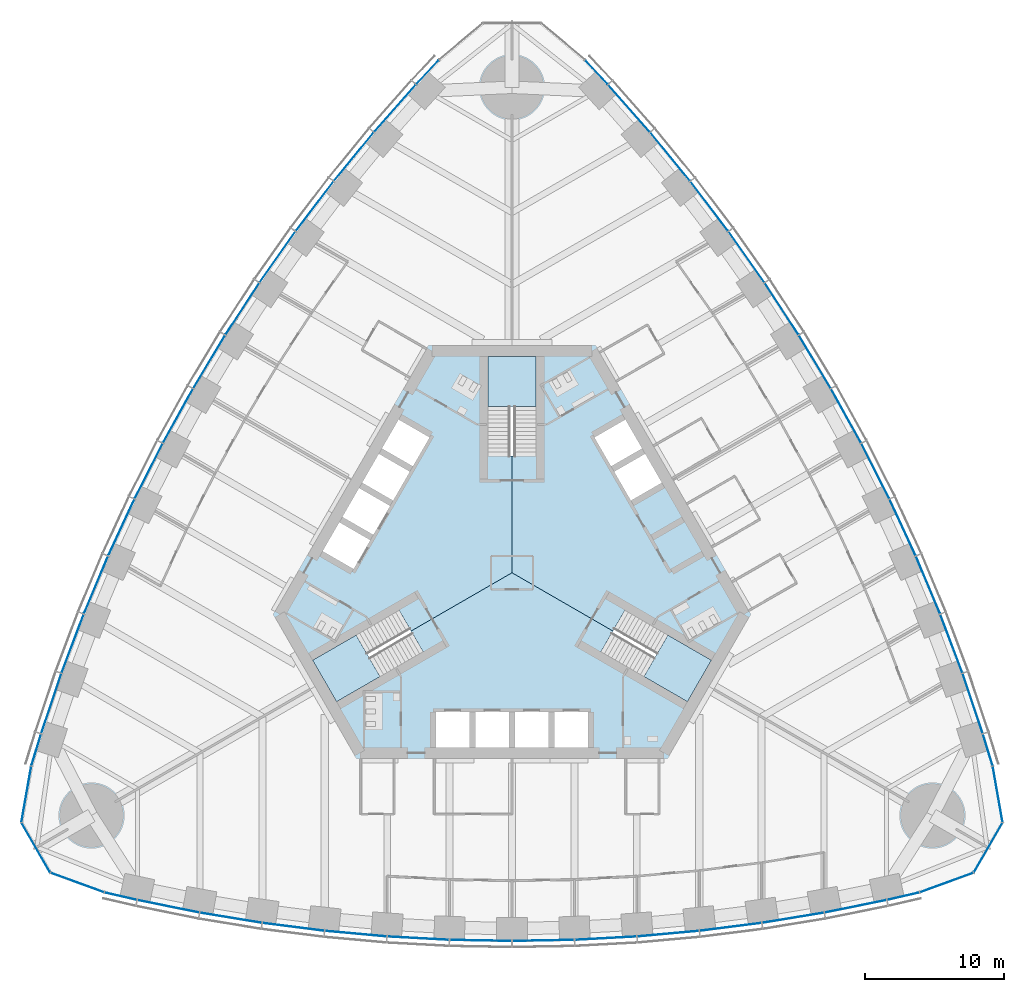
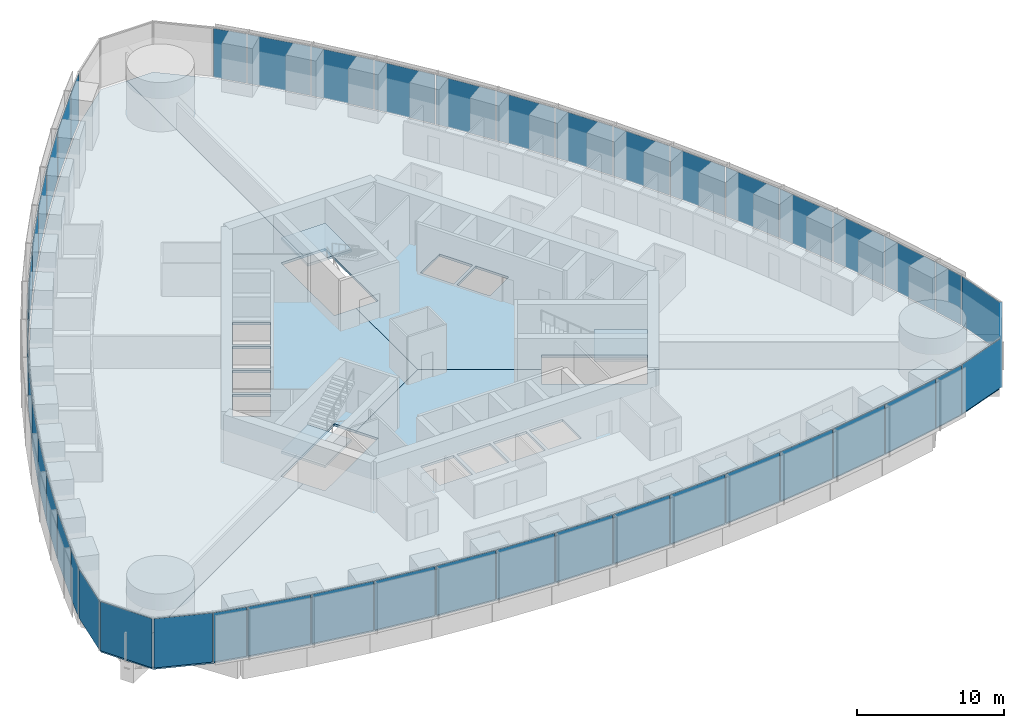
# One storey, part 9 of 19: 48 plates, 6 slabs, 8 elements without a shape of their own.
"""IFC4 building model written with IfcOpenShell, lengths in metres."""

from ifc_helpers import new_model, si_unit, direction, frame, origin, origin_2d, place, context, subcontext, project, spatial, polyline, rectangle, outline, extrude, material, layer, layer_set, type_object, element, aggregate, save


model = new_model("IFC4")

# Units and contexts
model_context = context("Model", 3, precision=1e-05, world=origin(), true_north=direction((0.0, 1.0)))
body_context = subcontext(model_context, "Body", "Model", "MODEL_VIEW")
ifc_project = project(units=[si_unit("LENGTHUNIT", "METRE"), si_unit("AREAUNIT", "SQUARE_METRE"), si_unit("VOLUMEUNIT", "CUBIC_METRE"), si_unit("PLANEANGLEUNIT", "RADIAN"), si_unit("MASSUNIT", "GRAM", prefix="KILO")], contexts=[model_context])

# Site, building, storey
site_placement = place(None, origin())
site = spatial("IfcSite", under=ifc_project, at=site_placement, CompositionType="ELEMENT")
building_placement = place(site_placement, origin())
building = spatial("IfcBuilding", under=site, at=building_placement, Name="Trefoil Bronze Tower", CompositionType="ELEMENT")
storey_placement = place(building_placement, frame((0.0, 0.0, 107.300048828125)))
storey = spatial("IfcBuildingStorey", under=building, at=storey_placement, Name="L24", CompositionType="ELEMENT", Elevation=107.300048828125)

# Curtain wall, plates
ifc_material_1 = material(Name="Tinted solar-control glass", Category="glass")
curtain_wall_type_1 = type_object("IfcCurtainWallType", Name="Bronze office curtain wall", PredefinedType="USERDEFINED", material=ifc_material_1)
curtain_wall_1_placement = place(storey_placement, origin())
curtain_wall_1 = element("IfcCurtainWall", 1, at=curtain_wall_1_placement, inside=storey, type_object=curtain_wall_type_1, Name="CW-A L24 F1", ObjectType="CURTAIN WALL", PredefinedType="USERDEFINED")
ifc_material_2 = material(Name="Tinted solar-control glass", Category="glass")
ifc_layer_1 = layer(ifc_material_2, 0.030029296875)
ifc_layer_set_1 = layer_set([ifc_layer_1], Name="Bronze office curtain wall glass panel")
plate_type_1 = type_object("IfcPlateType", Name="Bronze office curtain wall glass panel", PredefinedType="CURTAIN_PANEL", material=ifc_layer_set_1)
plate_1_placement = place(storey_placement, frame((-28.201416015625, -23.320068359375, 0.0), z_axis=(0.0, 0.0, 1.0), x_axis=(0.97420444715, -0.225667222151, 0.0)))
plate_1 = element("IfcPlate", 2, at=plate_1_placement, type_object=plate_type_1, Name="CW-A L24 F1 panel 1", PredefinedType="CURTAIN_PANEL", context=body_context, shape_type="SweptSolid", body=[
    extrude(rectangle(XDim=2.340087890625, YDim=0.030029296875, at=origin_2d()), origin(), (0.0, 0.0, 1.0), 4.080078125),
])
plate_2_placement = place(storey_placement, frame((-24.769775390625, -24.048828125, 0.0), z_axis=(0.0, 0.0, 1.0), x_axis=(0.980155155547, -0.198231861853, 0.0)))
plate_2 = element("IfcPlate", 3, at=plate_2_placement, type_object=plate_type_1, Name="CW-A L24 F1 panel 2", PredefinedType="CURTAIN_PANEL", context=body_context, shape_type="SweptSolid", body=[
    extrude(rectangle(XDim=4.51123046875, YDim=0.030029296875, at=origin_2d()), origin(), (0.0, 0.0, 1.0), 4.080078125),
])
plate_3_placement = place(storey_placement, frame((-20.26611328125, -24.87451171875, 0.0), z_axis=(0.0, 0.0, 1.0), x_axis=(0.986759655731, -0.162189339418, 0.0)))
plate_3 = element("IfcPlate", 4, at=plate_3_placement, type_object=plate_type_1, Name="CW-A L24 F1 panel 3", PredefinedType="CURTAIN_PANEL", context=body_context, shape_type="SweptSolid", body=[
    extrude(rectangle(XDim=4.48046875, YDim=0.030029296875, at=origin_2d()), origin(), (0.0, 0.0, 1.0), 4.080078125),
])
plate_4_placement = place(storey_placement, frame((-15.7626953125, -25.53076171875, 0.0), z_axis=(0.0, 0.0, 1.0), x_axis=(0.992011554286, -0.126147041833, 0.0)))
plate_4 = element("IfcPlate", 5, at=plate_4_placement, type_object=plate_type_1, Name="CW-A L24 F1 panel 4", PredefinedType="CURTAIN_PANEL", context=body_context, shape_type="SweptSolid", body=[
    extrude(rectangle(XDim=4.456298828125, YDim=0.030029296875, at=origin_2d()), origin(), (0.0, 0.0, 1.0), 4.080078125),
])
plate_5_placement = place(storey_placement, frame((-11.259033203125, -26.02099609375, 0.0), z_axis=(0.0, 0.0, 1.0), x_axis=(0.995932279146, -0.090104913044, 0.0)))
plate_5 = element("IfcPlate", 6, at=plate_5_placement, type_object=plate_type_1, Name="CW-A L24 F1 panel 5", PredefinedType="CURTAIN_PANEL", context=body_context, shape_type="SweptSolid", body=[
    extrude(rectangle(XDim=4.4384765625, YDim=0.030029296875, at=origin_2d()), origin(), (0.0, 0.0, 1.0), 4.080078125),
])
plate_6_placement = place(storey_placement, frame((-6.75537109375, -26.3466796875, 0.0), z_axis=(0.0, 0.0, 1.0), x_axis=(0.998537531923, -0.054062901701, 0.0)))
plate_6 = element("IfcPlate", 7, at=plate_6_placement, type_object=plate_type_1, Name="CW-A L24 F1 panel 6", PredefinedType="CURTAIN_PANEL", context=body_context, shape_type="SweptSolid", body=[
    extrude(rectangle(XDim=4.426513671875, YDim=0.030029296875, at=origin_2d()), origin(), (0.0, 0.0, 1.0), 4.080078125),
])
plate_7_placement = place(storey_placement, frame((-2.251708984375, -26.509033203125, 0.0), z_axis=(0.0, 0.0, 1.0), x_axis=(0.999837609322, -0.018020959612, 0.0)))
plate_7 = element("IfcPlate", 8, at=plate_7_placement, type_object=plate_type_1, Name="CW-A L24 F1 panel 7", PredefinedType="CURTAIN_PANEL", context=body_context, shape_type="SweptSolid", body=[
    extrude(rectangle(XDim=4.420654296875, YDim=0.030029296875, at=origin_2d()), origin(), (0.0, 0.0, 1.0), 4.080078125),
])
plate_8_placement = place(storey_placement, frame((2.251708984375, -26.509033203125, 0.0), z_axis=(0.0, 0.0, 1.0), x_axis=(0.999837609322, 0.018020959612, 0.0)))
plate_8 = element("IfcPlate", 9, at=plate_8_placement, type_object=plate_type_1, Name="CW-A L24 F1 panel 8", PredefinedType="CURTAIN_PANEL", context=body_context, shape_type="SweptSolid", body=[
    extrude(rectangle(XDim=4.420654296875, YDim=0.030029296875, at=origin_2d()), origin(), (0.0, 0.0, 1.0), 4.080078125),
])
plate_9_placement = place(storey_placement, frame((6.75537109375, -26.3466796875, 0.0), z_axis=(0.0, 0.0, 1.0), x_axis=(0.998537531923, 0.054062901701, 0.0)))
plate_9 = element("IfcPlate", 10, at=plate_9_placement, type_object=plate_type_1, Name="CW-A L24 F1 panel 9", PredefinedType="CURTAIN_PANEL", context=body_context, shape_type="SweptSolid", body=[
    extrude(rectangle(XDim=4.426513671875, YDim=0.030029296875, at=origin_2d()), origin(), (0.0, 0.0, 1.0), 4.080078125),
])
plate_10_placement = place(storey_placement, frame((11.259033203125, -26.02099609375, 0.0), z_axis=(0.0, 0.0, 1.0), x_axis=(0.995932279146, 0.090104913044, 0.0)))
plate_10 = element("IfcPlate", 11, at=plate_10_placement, type_object=plate_type_1, Name="CW-A L24 F1 panel 10", PredefinedType="CURTAIN_PANEL", context=body_context, shape_type="SweptSolid", body=[
    extrude(rectangle(XDim=4.4384765625, YDim=0.030029296875, at=origin_2d()), origin(), (0.0, 0.0, 1.0), 4.080078125),
])
plate_11_placement = place(storey_placement, frame((15.7626953125, -25.53076171875, 0.0), z_axis=(0.0, 0.0, 1.0), x_axis=(0.992011554286, 0.126147041833, 0.0)))
plate_11 = element("IfcPlate", 12, at=plate_11_placement, type_object=plate_type_1, Name="CW-A L24 F1 panel 11", PredefinedType="CURTAIN_PANEL", context=body_context, shape_type="SweptSolid", body=[
    extrude(rectangle(XDim=4.456298828125, YDim=0.030029296875, at=origin_2d()), origin(), (0.0, 0.0, 1.0), 4.080078125),
])
plate_12_placement = place(storey_placement, frame((20.26611328125, -24.87451171875, 0.0), z_axis=(0.0, 0.0, 1.0), x_axis=(0.986759655731, 0.162189339418, 0.0)))
plate_12 = element("IfcPlate", 13, at=plate_12_placement, type_object=plate_type_1, Name="CW-A L24 F1 panel 12", PredefinedType="CURTAIN_PANEL", context=body_context, shape_type="SweptSolid", body=[
    extrude(rectangle(XDim=4.48046875, YDim=0.030029296875, at=origin_2d()), origin(), (0.0, 0.0, 1.0), 4.080078125),
])
plate_13_placement = place(storey_placement, frame((24.769775390625, -24.048828125, 0.0), z_axis=(0.0, 0.0, 1.0), x_axis=(0.980155155547, 0.198231861853, 0.0)))
plate_13 = element("IfcPlate", 14, at=plate_13_placement, type_object=plate_type_1, Name="CW-A L24 F1 panel 13", PredefinedType="CURTAIN_PANEL", context=body_context, shape_type="SweptSolid", body=[
    extrude(rectangle(XDim=4.51123046875, YDim=0.030029296875, at=origin_2d()), origin(), (0.0, 0.0, 1.0), 4.080078125),
])
plate_14_placement = place(storey_placement, frame((28.201416015625, -23.320068359375, 0.0), z_axis=(0.0, 0.0, 1.0), x_axis=(0.97420444715, 0.225667222151, 0.0)))
plate_14 = element("IfcPlate", 15, at=plate_14_placement, type_object=plate_type_1, Name="CW-A L24 F1 panel 14", PredefinedType="CURTAIN_PANEL", context=body_context, shape_type="SweptSolid", body=[
    extrude(rectangle(XDim=2.340087890625, YDim=0.030029296875, at=origin_2d()), origin(), (0.0, 0.0, 1.0), 4.080078125),
])
aggregate(curtain_wall_1, [plate_1, plate_2, plate_3, plate_4, plate_5, plate_6, plate_7, plate_8, plate_9, plate_10, plate_11, plate_12, plate_13, plate_14])

curtain_wall_2_placement = place(storey_placement, origin())
curtain_wall_2 = element("IfcCurtainWall", 16, at=curtain_wall_2_placement, inside=storey, type_object=curtain_wall_type_1, Name="CW-A L24 F2", ObjectType="CURTAIN WALL", PredefinedType="USERDEFINED")
plate_15_placement = place(storey_placement, frame((34.296630859375, -12.762939453125, 0.0), z_axis=(0.0, 0.0, 1.0), x_axis=(-0.291668676391, 0.956519410787, 0.0)))
plate_15 = element("IfcPlate", 17, at=plate_15_placement, type_object=plate_type_1, Name="CW-A L24 F2 panel 1", PredefinedType="CURTAIN_PANEL", context=body_context, shape_type="SweptSolid", body=[
    extrude(rectangle(XDim=2.340087890625, YDim=0.030029296875, at=origin_2d()), origin(), (0.0, 0.0, 1.0), 4.080078125),
])
plate_16_placement = place(storey_placement, frame((33.2119140625, -9.4267578125, 0.0), z_axis=(0.0, 0.0, 1.0), x_axis=(-0.318403749569, 0.947955195281, 0.0)))
plate_16 = element("IfcPlate", 18, at=plate_16_placement, type_object=plate_type_1, Name="CW-A L24 F2 panel 2", PredefinedType="CURTAIN_PANEL", context=body_context, shape_type="SweptSolid", body=[
    extrude(rectangle(XDim=4.51123046875, YDim=0.030029296875, at=origin_2d()), origin(), (0.0, 0.0, 1.0), 4.080078125),
])
plate_17_placement = place(storey_placement, frame((31.675048828125, -5.11376953125, 0.0), z_axis=(0.0, 0.0, 1.0), x_axis=(-0.352919739707, 0.935653599002, 0.0)))
plate_17 = element("IfcPlate", 19, at=plate_17_placement, type_object=plate_type_1, Name="CW-A L24 F2 panel 3", PredefinedType="CURTAIN_PANEL", context=body_context, shape_type="SweptSolid", body=[
    extrude(rectangle(XDim=4.48046875, YDim=0.030029296875, at=origin_2d()), origin(), (0.0, 0.0, 1.0), 4.080078125),
])
plate_18_placement = place(storey_placement, frame((29.99169921875, -0.885498046875, 0.0), z_axis=(0.0, 0.0, 1.0), x_axis=(-0.386759234303, 0.922180727776, 0.0)))
plate_18 = element("IfcPlate", 20, at=plate_18_placement, type_object=plate_type_1, Name="CW-A L24 F2 panel 4", PredefinedType="CURTAIN_PANEL", context=body_context, shape_type="SweptSolid", body=[
    extrude(rectangle(XDim=4.456298828125, YDim=0.030029296875, at=origin_2d()), origin(), (0.0, 0.0, 1.0), 4.080078125),
])
plate_19_placement = place(storey_placement, frame((28.164306640625, 3.260009765625, 0.0), z_axis=(0.0, 0.0, 1.0), x_axis=(-0.419932995871, 0.907555110712, 0.0)))
plate_19 = element("IfcPlate", 21, at=plate_19_placement, type_object=plate_type_1, Name="CW-A L24 F2 panel 5", PredefinedType="CURTAIN_PANEL", context=body_context, shape_type="SweptSolid", body=[
    extrude(rectangle(XDim=4.4384765625, YDim=0.030029296875, at=origin_2d()), origin(), (0.0, 0.0, 1.0), 4.080078125),
])
plate_20_placement = place(storey_placement, frame((26.194580078125, 7.322998046875, 0.0), z_axis=(0.0, 0.0, 1.0), x_axis=(-0.452448919686, 0.891790320128, 0.0)))
plate_20 = element("IfcPlate", 22, at=plate_20_placement, type_object=plate_type_1, Name="CW-A L24 F2 panel 6", PredefinedType="CURTAIN_PANEL", context=body_context, shape_type="SweptSolid", body=[
    extrude(rectangle(XDim=4.426513671875, YDim=0.030029296875, at=origin_2d()), origin(), (0.0, 0.0, 1.0), 4.080078125),
])
plate_21_placement = place(storey_placement, frame((24.08349609375, 11.304443359375, 0.0), z_axis=(0.0, 0.0, 1.0), x_axis=(-0.484312195836, 0.874895249138, 0.0)))
plate_21 = element("IfcPlate", 23, at=plate_21_placement, type_object=plate_type_1, Name="CW-A L24 F2 panel 7", PredefinedType="CURTAIN_PANEL", context=body_context, shape_type="SweptSolid", body=[
    extrude(rectangle(XDim=4.420654296875, YDim=0.030029296875, at=origin_2d()), origin(), (0.0, 0.0, 1.0), 4.080078125),
])
plate_22_placement = place(storey_placement, frame((21.83154296875, 15.20458984375, 0.0), z_axis=(0.0, 0.0, 1.0), x_axis=(-0.515525413486, 0.856874289526, 0.0)))
plate_22 = element("IfcPlate", 24, at=plate_22_placement, type_object=plate_type_1, Name="CW-A L24 F2 panel 8", PredefinedType="CURTAIN_PANEL", context=body_context, shape_type="SweptSolid", body=[
    extrude(rectangle(XDim=4.420654296875, YDim=0.030029296875, at=origin_2d()), origin(), (0.0, 0.0, 1.0), 4.080078125),
])
plate_23_placement = place(storey_placement, frame((19.439208984375, 19.023681640625, 0.0), z_axis=(0.0, 0.0, 1.0), x_axis=(-0.546088612237, 0.837727418427, 0.0)))
plate_23 = element("IfcPlate", 25, at=plate_23_placement, type_object=plate_type_1, Name="CW-A L24 F2 panel 9", PredefinedType="CURTAIN_PANEL", context=body_context, shape_type="SweptSolid", body=[
    extrude(rectangle(XDim=4.426513671875, YDim=0.030029296875, at=origin_2d()), origin(), (0.0, 0.0, 1.0), 4.080078125),
])
plate_24_placement = place(storey_placement, frame((16.9052734375, 22.760986328125, 0.0), z_axis=(0.0, 0.0, 1.0), x_axis=(-0.575999283275, 0.817450197667, 0.0)))
plate_24 = element("IfcPlate", 26, at=plate_24_placement, type_object=plate_type_1, Name="CW-A L24 F2 panel 10", PredefinedType="CURTAIN_PANEL", context=body_context, shape_type="SweptSolid", body=[
    extrude(rectangle(XDim=4.4384765625, YDim=0.030029296875, at=origin_2d()), origin(), (0.0, 0.0, 1.0), 4.080078125),
])
plate_25_placement = place(storey_placement, frame((14.22900390625, 26.416259765625, 0.0), z_axis=(0.0, 0.0, 1.0), x_axis=(-0.605252319983, 0.796033685943, 0.0)))
plate_25 = element("IfcPlate", 27, at=plate_25_placement, type_object=plate_type_1, Name="CW-A L24 F2 panel 11", PredefinedType="CURTAIN_PANEL", context=body_context, shape_type="SweptSolid", body=[
    extrude(rectangle(XDim=4.456298828125, YDim=0.030029296875, at=origin_2d()), origin(), (0.0, 0.0, 1.0), 4.080078125),
])
plate_26_placement = place(storey_placement, frame((11.40869140625, 29.98828125, 0.0), z_axis=(0.0, 0.0, 1.0), x_axis=(-0.633839916024, 0.773464259584, 0.0)))
plate_26 = element("IfcPlate", 28, at=plate_26_placement, type_object=plate_type_1, Name="CW-A L24 F2 panel 12", PredefinedType="CURTAIN_PANEL", context=body_context, shape_type="SweptSolid", body=[
    extrude(rectangle(XDim=4.48046875, YDim=0.030029296875, at=origin_2d()), origin(), (0.0, 0.0, 1.0), 4.080078125),
])
plate_27_placement = place(storey_placement, frame((8.442138671875, 33.475830078125, 0.0), z_axis=(0.0, 0.0, 1.0), x_axis=(-0.661751405978, 0.749723333428, 0.0)))
plate_27 = element("IfcPlate", 29, at=plate_27_placement, type_object=plate_type_1, Name="CW-A L24 F2 panel 13", PredefinedType="CURTAIN_PANEL", context=body_context, shape_type="SweptSolid", body=[
    extrude(rectangle(XDim=4.51123046875, YDim=0.030029296875, at=origin_2d()), origin(), (0.0, 0.0, 1.0), 4.080078125),
])
plate_28_placement = place(storey_placement, frame((6.09521484375, 36.083251953125, 0.0), z_axis=(0.0, 0.0, 1.0), x_axis=(-0.682535770759, 0.730852188636, 0.0)))
plate_28 = element("IfcPlate", 30, at=plate_28_placement, type_object=plate_type_1, Name="CW-A L24 F2 panel 14", PredefinedType="CURTAIN_PANEL", context=body_context, shape_type="SweptSolid", body=[
    extrude(rectangle(XDim=2.340087890625, YDim=0.030029296875, at=origin_2d()), origin(), (0.0, 0.0, 1.0), 4.080078125),
])
aggregate(curtain_wall_2, [plate_15, plate_16, plate_17, plate_18, plate_19, plate_20, plate_21, plate_22, plate_23, plate_24, plate_25, plate_26, plate_27, plate_28])

curtain_wall_3_placement = place(storey_placement, origin())
curtain_wall_3 = element("IfcCurtainWall", 31, at=curtain_wall_3_placement, inside=storey, type_object=curtain_wall_type_1, Name="CW-A L24 F3", ObjectType="CURTAIN WALL", PredefinedType="USERDEFINED")
plate_29_placement = place(storey_placement, frame((-6.09521484375, 36.083251953125, 0.0), z_axis=(0.0, 0.0, 1.0), x_axis=(-0.682535770759, -0.730852188636, 0.0)))
plate_29 = element("IfcPlate", 32, at=plate_29_placement, type_object=plate_type_1, Name="CW-A L24 F3 panel 1", PredefinedType="CURTAIN_PANEL", context=body_context, shape_type="SweptSolid", body=[
    extrude(rectangle(XDim=2.340087890625, YDim=0.030029296875, at=origin_2d()), origin(), (0.0, 0.0, 1.0), 4.080078125),
])
plate_30_placement = place(storey_placement, frame((-8.442138671875, 33.475830078125, 0.0), z_axis=(0.0, 0.0, 1.0), x_axis=(-0.661751405978, -0.749723333428, 0.0)))
plate_30 = element("IfcPlate", 33, at=plate_30_placement, type_object=plate_type_1, Name="CW-A L24 F3 panel 2", PredefinedType="CURTAIN_PANEL", context=body_context, shape_type="SweptSolid", body=[
    extrude(rectangle(XDim=4.51123046875, YDim=0.030029296875, at=origin_2d()), origin(), (0.0, 0.0, 1.0), 4.080078125),
])
plate_31_placement = place(storey_placement, frame((-11.40869140625, 29.98828125, 0.0), z_axis=(0.0, 0.0, 1.0), x_axis=(-0.633839916024, -0.773464259584, 0.0)))
plate_31 = element("IfcPlate", 34, at=plate_31_placement, type_object=plate_type_1, Name="CW-A L24 F3 panel 3", PredefinedType="CURTAIN_PANEL", context=body_context, shape_type="SweptSolid", body=[
    extrude(rectangle(XDim=4.48046875, YDim=0.030029296875, at=origin_2d()), origin(), (0.0, 0.0, 1.0), 4.080078125),
])
plate_32_placement = place(storey_placement, frame((-14.22900390625, 26.416259765625, 0.0), z_axis=(0.0, 0.0, 1.0), x_axis=(-0.605252319983, -0.796033685943, 0.0)))
plate_32 = element("IfcPlate", 35, at=plate_32_placement, type_object=plate_type_1, Name="CW-A L24 F3 panel 4", PredefinedType="CURTAIN_PANEL", context=body_context, shape_type="SweptSolid", body=[
    extrude(rectangle(XDim=4.456298828125, YDim=0.030029296875, at=origin_2d()), origin(), (0.0, 0.0, 1.0), 4.080078125),
])
plate_33_placement = place(storey_placement, frame((-16.9052734375, 22.760986328125, 0.0), z_axis=(0.0, 0.0, 1.0), x_axis=(-0.575999283275, -0.817450197667, 0.0)))
plate_33 = element("IfcPlate", 36, at=plate_33_placement, type_object=plate_type_1, Name="CW-A L24 F3 panel 5", PredefinedType="CURTAIN_PANEL", context=body_context, shape_type="SweptSolid", body=[
    extrude(rectangle(XDim=4.4384765625, YDim=0.030029296875, at=origin_2d()), origin(), (0.0, 0.0, 1.0), 4.080078125),
])
plate_34_placement = place(storey_placement, frame((-19.439208984375, 19.023681640625, 0.0), z_axis=(0.0, 0.0, 1.0), x_axis=(-0.546088612237, -0.837727418427, 0.0)))
plate_34 = element("IfcPlate", 37, at=plate_34_placement, type_object=plate_type_1, Name="CW-A L24 F3 panel 6", PredefinedType="CURTAIN_PANEL", context=body_context, shape_type="SweptSolid", body=[
    extrude(rectangle(XDim=4.426513671875, YDim=0.030029296875, at=origin_2d()), origin(), (0.0, 0.0, 1.0), 4.080078125),
])
plate_35_placement = place(storey_placement, frame((-21.83154296875, 15.20458984375, 0.0), z_axis=(0.0, 0.0, 1.0), x_axis=(-0.515525413486, -0.856874289526, 0.0)))
plate_35 = element("IfcPlate", 38, at=plate_35_placement, type_object=plate_type_1, Name="CW-A L24 F3 panel 7", PredefinedType="CURTAIN_PANEL", context=body_context, shape_type="SweptSolid", body=[
    extrude(rectangle(XDim=4.420654296875, YDim=0.030029296875, at=origin_2d()), origin(), (0.0, 0.0, 1.0), 4.080078125),
])
plate_36_placement = place(storey_placement, frame((-24.08349609375, 11.304443359375, 0.0), z_axis=(0.0, 0.0, 1.0), x_axis=(-0.484312195836, -0.874895249138, 0.0)))
plate_36 = element("IfcPlate", 39, at=plate_36_placement, type_object=plate_type_1, Name="CW-A L24 F3 panel 8", PredefinedType="CURTAIN_PANEL", context=body_context, shape_type="SweptSolid", body=[
    extrude(rectangle(XDim=4.420654296875, YDim=0.030029296875, at=origin_2d()), origin(), (0.0, 0.0, 1.0), 4.080078125),
])
plate_37_placement = place(storey_placement, frame((-26.194580078125, 7.322998046875, 0.0), z_axis=(0.0, 0.0, 1.0), x_axis=(-0.452448919686, -0.891790320128, 0.0)))
plate_37 = element("IfcPlate", 40, at=plate_37_placement, type_object=plate_type_1, Name="CW-A L24 F3 panel 9", PredefinedType="CURTAIN_PANEL", context=body_context, shape_type="SweptSolid", body=[
    extrude(rectangle(XDim=4.426513671875, YDim=0.030029296875, at=origin_2d()), origin(), (0.0, 0.0, 1.0), 4.080078125),
])
plate_38_placement = place(storey_placement, frame((-28.164306640625, 3.260009765625, 0.0), z_axis=(0.0, 0.0, 1.0), x_axis=(-0.419932995871, -0.907555110712, 0.0)))
plate_38 = element("IfcPlate", 41, at=plate_38_placement, type_object=plate_type_1, Name="CW-A L24 F3 panel 10", PredefinedType="CURTAIN_PANEL", context=body_context, shape_type="SweptSolid", body=[
    extrude(rectangle(XDim=4.4384765625, YDim=0.030029296875, at=origin_2d()), origin(), (0.0, 0.0, 1.0), 4.080078125),
])
plate_39_placement = place(storey_placement, frame((-29.99169921875, -0.885498046875, 0.0), z_axis=(0.0, 0.0, 1.0), x_axis=(-0.386759234303, -0.922180727776, 0.0)))
plate_39 = element("IfcPlate", 42, at=plate_39_placement, type_object=plate_type_1, Name="CW-A L24 F3 panel 11", PredefinedType="CURTAIN_PANEL", context=body_context, shape_type="SweptSolid", body=[
    extrude(rectangle(XDim=4.456298828125, YDim=0.030029296875, at=origin_2d()), origin(), (0.0, 0.0, 1.0), 4.080078125),
])
plate_40_placement = place(storey_placement, frame((-31.675048828125, -5.11376953125, 0.0), z_axis=(0.0, 0.0, 1.0), x_axis=(-0.352919739707, -0.935653599002, 0.0)))
plate_40 = element("IfcPlate", 43, at=plate_40_placement, type_object=plate_type_1, Name="CW-A L24 F3 panel 12", PredefinedType="CURTAIN_PANEL", context=body_context, shape_type="SweptSolid", body=[
    extrude(rectangle(XDim=4.48046875, YDim=0.030029296875, at=origin_2d()), origin(), (0.0, 0.0, 1.0), 4.080078125),
])
plate_41_placement = place(storey_placement, frame((-33.2119140625, -9.4267578125, 0.0), z_axis=(0.0, 0.0, 1.0), x_axis=(-0.318403749569, -0.947955195281, 0.0)))
plate_41 = element("IfcPlate", 44, at=plate_41_placement, type_object=plate_type_1, Name="CW-A L24 F3 panel 13", PredefinedType="CURTAIN_PANEL", context=body_context, shape_type="SweptSolid", body=[
    extrude(rectangle(XDim=4.51123046875, YDim=0.030029296875, at=origin_2d()), origin(), (0.0, 0.0, 1.0), 4.080078125),
])
plate_42_placement = place(storey_placement, frame((-34.296630859375, -12.762939453125, 0.0), z_axis=(0.0, 0.0, 1.0), x_axis=(-0.291668676391, -0.956519410787, 0.0)))
plate_42 = element("IfcPlate", 45, at=plate_42_placement, type_object=plate_type_1, Name="CW-A L24 F3 panel 14", PredefinedType="CURTAIN_PANEL", context=body_context, shape_type="SweptSolid", body=[
    extrude(rectangle(XDim=2.340087890625, YDim=0.030029296875, at=origin_2d()), origin(), (0.0, 0.0, 1.0), 4.080078125),
])
aggregate(curtain_wall_3, [plate_29, plate_30, plate_31, plate_32, plate_33, plate_34, plate_35, plate_36, plate_37, plate_38, plate_39, plate_40, plate_41, plate_42])

ifc_material_3 = material(Name="Tinted solar-control glass", Category="glass")
curtain_wall_type_2 = type_object("IfcCurtainWallType", Name="Bronze rounded corner curtain wall", PredefinedType="USERDEFINED", material=ifc_material_3)
curtain_wall_4_placement = place(storey_placement, origin())
curtain_wall_4 = element("IfcCurtainWall", 46, at=curtain_wall_4_placement, inside=storey, type_object=curtain_wall_type_2, Name="CW-B L24 K1", ObjectType="CURTAIN WALL", PredefinedType="USERDEFINED")
ifc_material_4 = material(Name="Tinted solar-control glass", Category="glass")
ifc_layer_2 = layer(ifc_material_4, 0.030029296875)
ifc_layer_set_2 = layer_set([ifc_layer_2], Name="Bronze rounded corner curtain wall glass panel")
plate_type_2 = type_object("IfcPlateType", Name="Bronze rounded corner curtain wall glass panel", PredefinedType="CURTAIN_PANEL", material=ifc_layer_set_2)
plate_43_placement = place(storey_placement, frame((31.3203125, -22.341796875, 0.0), z_axis=(0.0, 0.0, 1.0), x_axis=(0.939692620786, 0.342020143326, 0.0)))
plate_43 = element("IfcPlate", 47, at=plate_43_placement, type_object=plate_type_2, Name="CW-B L24 K1 panel 1", PredefinedType="CURTAIN_PANEL", context=body_context, shape_type="SweptSolid", body=[
    extrude(rectangle(XDim=4.044189453125, YDim=0.030029296875, at=origin_2d()), origin(), (0.0, 0.0, 1.0), 4.080078125),
])
plate_44_placement = place(storey_placement, frame((34.3271484375, -19.81884765625, 0.0), z_axis=(0.0, 0.0, 1.0), x_axis=(0.5, 0.866025403784, 0.0)))
plate_44 = element("IfcPlate", 48, at=plate_44_placement, type_object=plate_type_2, Name="CW-B L24 K1 panel 2", PredefinedType="CURTAIN_PANEL", context=body_context, shape_type="SweptSolid", body=[
    extrude(rectangle(XDim=4.044189453125, YDim=0.030029296875, at=origin_2d()), origin(), (0.0, 0.0, 1.0), 4.080078125),
])
plate_45_placement = place(storey_placement, frame((35.0087890625, -15.953369140625, 0.0), z_axis=(0.0, 0.0, 1.0), x_axis=(-0.173648177667, 0.984807753012, 0.0)))
plate_45 = element("IfcPlate", 49, at=plate_45_placement, type_object=plate_type_2, Name="CW-B L24 K1 panel 3", PredefinedType="CURTAIN_PANEL", context=body_context, shape_type="SweptSolid", body=[
    extrude(rectangle(XDim=4.044189453125, YDim=0.030029296875, at=origin_2d()), origin(), (0.0, 0.0, 1.0), 4.080078125),
])
aggregate(curtain_wall_4, [plate_43, plate_44, plate_45])

curtain_wall_5_placement = place(storey_placement, origin())
curtain_wall_5 = element("IfcCurtainWall", 50, at=curtain_wall_5_placement, inside=storey, type_object=curtain_wall_type_2, Name="CW-B L24 K3", ObjectType="CURTAIN WALL", PredefinedType="USERDEFINED")
plate_46_placement = place(storey_placement, frame((-35.0087890625, -15.953369140625, 0.0), z_axis=(0.0, 0.0, 1.0), x_axis=(-0.173648177667, -0.984807753012, 0.0)))
plate_46 = element("IfcPlate", 51, at=plate_46_placement, type_object=plate_type_2, Name="CW-B L24 K3 panel 1", PredefinedType="CURTAIN_PANEL", context=body_context, shape_type="SweptSolid", body=[
    extrude(rectangle(XDim=4.044189453125, YDim=0.030029296875, at=origin_2d()), origin(), (0.0, 0.0, 1.0), 4.080078125),
])
plate_47_placement = place(storey_placement, frame((-34.3271484375, -19.81884765625, 0.0), z_axis=(0.0, 0.0, 1.0), x_axis=(0.5, -0.866025403784, 0.0)))
plate_47 = element("IfcPlate", 52, at=plate_47_placement, type_object=plate_type_2, Name="CW-B L24 K3 panel 2", PredefinedType="CURTAIN_PANEL", context=body_context, shape_type="SweptSolid", body=[
    extrude(rectangle(XDim=4.044189453125, YDim=0.030029296875, at=origin_2d()), origin(), (0.0, 0.0, 1.0), 4.080078125),
])
plate_48_placement = place(storey_placement, frame((-31.3203125, -22.341796875, 0.0), z_axis=(0.0, 0.0, 1.0), x_axis=(0.939692620786, -0.342020143326, 0.0)))
plate_48 = element("IfcPlate", 53, at=plate_48_placement, type_object=plate_type_2, Name="CW-B L24 K3 panel 3", PredefinedType="CURTAIN_PANEL", context=body_context, shape_type="SweptSolid", body=[
    extrude(rectangle(XDim=4.044189453125, YDim=0.030029296875, at=origin_2d()), origin(), (0.0, 0.0, 1.0), 4.080078125),
])
aggregate(curtain_wall_5, [plate_46, plate_47, plate_48])

# Slabs
ifc_material_5 = material(Name="Concrete B30", Category="concrete")
ifc_layer_3 = layer(ifc_material_5, 0.199951171875)
ifc_layer_set_3 = layer_set([ifc_layer_3], Name="Floor slab 200")
slab_type_1 = type_object("IfcSlabType", Name="Floor slab 200", PredefinedType="FLOOR", material=ifc_layer_set_3)
slab_1_placement = place(storey_placement, frame((0.0, 0.0, -0.199951171875)))
element("IfcSlab", 54, at=slab_1_placement, inside=storey, type_object=slab_type_1, Name="Floor slab L24 face 1", PredefinedType="FLOOR", context=body_context, shape_type="SweptSolid", body=[
    extrude(outline(polyline([(22.5, -24.406005859375), (18.0, -25.1455078125), (13.5, -25.7177734375), (9.0, -26.125), (4.5, -26.36865234375), (0.0, -26.44970703125), (-4.5, -26.36865234375), (-9.0, -26.125), (-13.5, -25.7177734375), (-18.0, -25.1455078125), (-22.5, -24.406005859375), (-27.0, -23.495849609375), (-29.357666015625, -22.94970703125), (-33.21435546875, -21.5458984375), (-34.240478515625, -19.768798828125), (-13.510009765625, -7.800048828125), (-12.6474609375, -9.2939453125), (-6.412109375, -5.69384765625), (-7.274658203125, -4.199951171875), (0.0, 0.0), (7.274658203125, -4.199951171875), (6.412109375, -5.69384765625), (12.6474609375, -9.2939453125), (13.510009765625, -7.800048828125), (34.240478515625, -19.768798828125), (33.21435546875, -21.5458984375), (29.357666015625, -22.94970703125), (27.0, -23.495849609375), (22.5, -24.406005859375)]), holes=[polyline([(-5.574951171875, -10.02490234375), (-2.97509765625, -10.02490234375), (-2.97509765625, -12.60009765625), (-5.574951171875, -12.60009765625), (-5.574951171875, -10.02490234375)]), polyline([(-2.72509765625, -10.02490234375), (-0.125, -10.02490234375), (-0.125, -12.60009765625), (-2.72509765625, -12.60009765625), (-2.72509765625, -10.02490234375)]), polyline([(0.125, -10.02490234375), (2.72509765625, -10.02490234375), (2.72509765625, -12.60009765625), (0.125, -12.60009765625), (0.125, -10.02490234375)]), polyline([(2.97509765625, -10.02490234375), (5.574951171875, -10.02490234375), (5.574951171875, -12.60009765625), (2.97509765625, -12.60009765625), (2.97509765625, -10.02490234375)])]), origin(), (0.0, 0.0, 1.0), 0.199951171875),
])
slab_2_placement = place(storey_placement, frame((0.0, 0.0, -0.199951171875)))
element("IfcSlab", 55, at=slab_2_placement, inside=storey, type_object=slab_type_1, Name="Floor slab L24 face 2", PredefinedType="FLOOR", context=body_context, shape_type="SweptSolid", body=[
    extrude(outline(polyline([(9.88623046875, 31.6884765625), (12.776611328125, 28.1611328125), (15.522216796875, 24.55029296875), (18.124755859375, 20.856689453125), (20.5859375, 17.081298828125), (22.906005859375, 13.224853515625), (25.0859375, 9.287109375), (27.124755859375, 5.268310546875), (29.022216796875, 1.16748046875), (30.776611328125, -3.015625), (32.38623046875, -7.28271484375), (33.847900390625, -11.634765625), (34.553955078125, -13.94970703125), (35.2666015625, -17.991455078125), (34.240478515625, -19.768798828125), (13.510009765625, -7.800048828125), (14.37255859375, -6.30615234375), (8.13720703125, -2.7060546875), (7.274658203125, -4.199951171875), (0.0, 0.0), (0.0, 8.39990234375), (1.72509765625, 8.39990234375), (1.72509765625, 15.60009765625), (0.0, 15.60009765625), (0.0, 39.53759765625), (2.052001953125, 39.53759765625), (5.196044921875, 36.8994140625), (6.847900390625, 35.130615234375), (9.88623046875, 31.6884765625)]), holes=[polyline([(8.619384765625, 5.120849609375), (7.3193359375, 7.372314453125), (9.54931640625, 8.659912109375), (10.849365234375, 6.408203125), (8.619384765625, 5.120849609375)]), polyline([(7.1943359375, 7.5888671875), (5.894287109375, 9.840576171875), (8.12451171875, 11.128173828125), (9.42431640625, 8.87646484375), (7.1943359375, 7.5888671875)])]), origin(), (0.0, 0.0, 1.0), 0.199951171875),
])
slab_3_placement = place(storey_placement, frame((0.0, 0.0, -0.199951171875)))
element("IfcSlab", 56, at=slab_3_placement, inside=storey, type_object=slab_type_1, Name="Floor slab L24 face 3", PredefinedType="FLOOR", context=body_context, shape_type="SweptSolid", body=[
    extrude(outline(polyline([(-32.38623046875, -7.28271484375), (-30.776611328125, -3.015625), (-29.022216796875, 1.16748046875), (-27.124755859375, 5.268310546875), (-25.0859375, 9.287109375), (-22.906005859375, 13.224853515625), (-20.5859375, 17.081298828125), (-18.124755859375, 20.856689453125), (-15.522216796875, 24.55029296875), (-12.776611328125, 28.1611328125), (-9.88623046875, 31.6884765625), (-6.847900390625, 35.130615234375), (-5.196044921875, 36.8994140625), (-2.052001953125, 39.53759765625), (0.0, 39.53759765625), (0.0, 15.60009765625), (-1.72509765625, 15.60009765625), (-1.72509765625, 8.39990234375), (0.0, 8.39990234375), (0.0, 0.0), (-7.274658203125, -4.199951171875), (-8.13720703125, -2.7060546875), (-14.37255859375, -6.30615234375), (-13.510009765625, -7.800048828125), (-34.240478515625, -19.768798828125), (-35.2666015625, -17.991455078125), (-34.553955078125, -13.94970703125), (-33.847900390625, -11.634765625), (-32.38623046875, -7.28271484375)]), holes=[polyline([(-5.894287109375, 9.840576171875), (-7.1943359375, 7.5888671875), (-9.42431640625, 8.87646484375), (-8.12451171875, 11.128173828125), (-5.894287109375, 9.840576171875)]), polyline([(-7.3193359375, 7.372314453125), (-8.619384765625, 5.120849609375), (-10.849365234375, 6.408203125), (-9.54931640625, 8.659912109375), (-7.3193359375, 7.372314453125)]), polyline([(-8.744384765625, 4.904296875), (-10.04443359375, 2.652587890625), (-12.2744140625, 3.940185546875), (-10.974365234375, 6.191650390625), (-8.744384765625, 4.904296875)]), polyline([(-10.16943359375, 2.43603515625), (-11.469482421875, 0.184326171875), (-13.699462890625, 1.471923828125), (-12.3994140625, 3.7236328125), (-10.16943359375, 2.43603515625)])]), origin(), (0.0, 0.0, 1.0), 0.199951171875),
])

# Stair, slab
ifc_material_6 = material(Name="Precast concrete B80", Category="concrete")
stair_type = type_object("IfcStairType", Name="Exit stair 26 risers", PredefinedType="HALF_TURN_STAIR", material=ifc_material_6)
stair_1_placement = place(storey_placement, origin())
stair_1 = element("IfcStair", 57, at=stair_1_placement, inside=storey, type_object=stair_type, Name="Stair ST1 L24", PredefinedType="HALF_TURN_STAIR")
ifc_material_7 = material(Name="Concrete B30", Category="concrete")
ifc_layer_4 = layer(ifc_material_7, 0.199951171875)
ifc_layer_set_4 = layer_set([ifc_layer_4], Name="Stair landing 200")
slab_type_2 = type_object("IfcSlabType", Name="Stair landing 200", PredefinedType="LANDING", material=ifc_layer_set_4)
slab_4_placement = place(storey_placement, frame((0.0, 0.0, 1.89990234375)))
slab_4 = element("IfcSlab", 58, at=slab_4_placement, type_object=slab_type_2, Name="ST1 landing 1", PredefinedType="LANDING", context=body_context, shape_type="SweptSolid", body=[
    extrude(outline(polyline([(9.512451171875, -7.48388671875), (12.6474609375, -9.2939453125), (14.37255859375, -6.30615234375), (11.237548828125, -4.49609375), (9.512451171875, -7.48388671875)])), origin(), (0.0, 0.0, 1.0), 0.199951171875),
])
aggregate(stair_1, [slab_4])

stair_2_placement = place(storey_placement, origin())
stair_2 = element("IfcStair", 59, at=stair_2_placement, inside=storey, type_object=stair_type, Name="Stair ST2 L24", PredefinedType="HALF_TURN_STAIR")
slab_5_placement = place(storey_placement, frame((0.0, 0.0, 1.89990234375)))
slab_5 = element("IfcSlab", 60, at=slab_5_placement, type_object=slab_type_2, Name="ST2 landing 1", PredefinedType="LANDING", context=body_context, shape_type="SweptSolid", body=[
    extrude(outline(polyline([(1.72509765625, 11.97998046875), (1.72509765625, 15.60009765625), (-1.72509765625, 15.60009765625), (-1.72509765625, 11.97998046875), (1.72509765625, 11.97998046875)])), origin(), (0.0, 0.0, 1.0), 0.199951171875),
])
aggregate(stair_2, [slab_5])

stair_3_placement = place(storey_placement, origin())
stair_3 = element("IfcStair", 61, at=stair_3_placement, inside=storey, type_object=stair_type, Name="Stair ST3 L24", PredefinedType="HALF_TURN_STAIR")
slab_6_placement = place(storey_placement, frame((0.0, 0.0, 1.89990234375)))
slab_6 = element("IfcSlab", 62, at=slab_6_placement, type_object=slab_type_2, Name="ST3 landing 1", PredefinedType="LANDING", context=body_context, shape_type="SweptSolid", body=[
    extrude(outline(polyline([(-11.237548828125, -4.49609375), (-14.37255859375, -6.30615234375), (-12.6474609375, -9.2939453125), (-9.512451171875, -7.48388671875), (-11.237548828125, -4.49609375)])), origin(), (0.0, 0.0, 1.0), 0.199951171875),
])
aggregate(stair_3, [slab_6])

save(model, "model.ifc")
